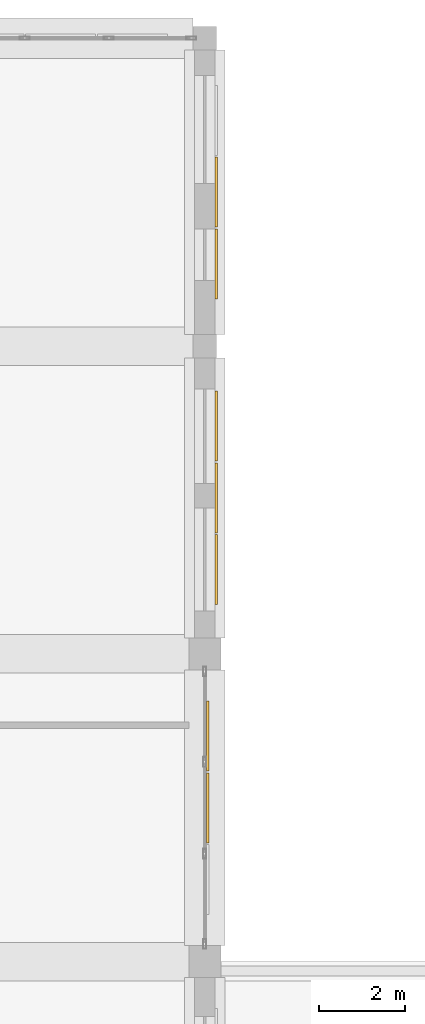
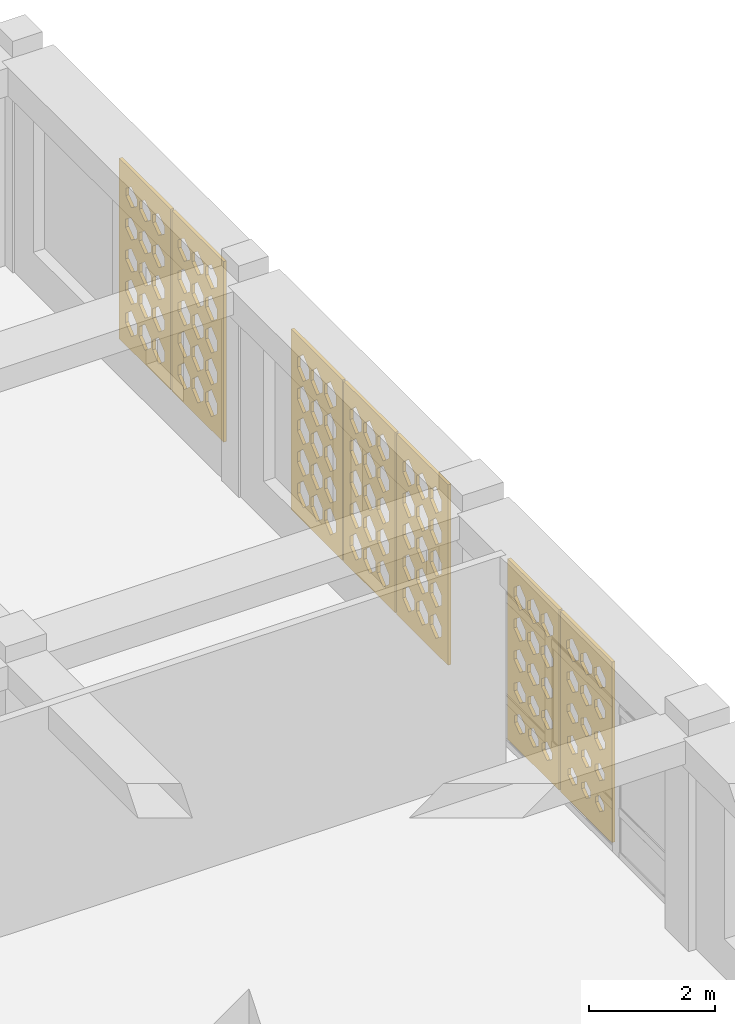
# One storey, part 115 of 121: 7 coverings.
"""IFC4 building model written with IfcOpenShell, lengths in metres."""

from ifc_helpers import new_model, si_unit, derived_unit, direction, frame, origin, place, context, subcontext, project, spatial, polyline, outline, extrude, material, layer, layer_set, type_object, element, save


model = new_model("IFC4")

# Units and contexts
model_context = context("Model", 3, precision=1e-05, world=origin(), true_north=direction((0.0, 1.0)))
body_context = subcontext(model_context, "Body", "Model", "MODEL_VIEW")
ifc_project = project(units=[si_unit("LENGTHUNIT", "METRE"), si_unit("AREAUNIT", "SQUARE_METRE"), si_unit("VOLUMEUNIT", "CUBIC_METRE"), si_unit("PLANEANGLEUNIT", "RADIAN"), si_unit("MASSUNIT", "GRAM", prefix="KILO"), derived_unit("THERMALTRANSMITTANCEUNIT", [(si_unit("POWERUNIT", "WATT"), 1), (si_unit("LENGTHUNIT", "METRE"), -2), (si_unit("THERMODYNAMICTEMPERATUREUNIT", "KELVIN"), -1)])], contexts=[model_context])

# Site, building, storey
site_placement = place(None, origin())
site = spatial("IfcSite", under=ifc_project, at=site_placement, CompositionType="ELEMENT")
building_placement = place(site_placement, origin())
building = spatial("IfcBuilding", under=site, at=building_placement, Name="Veybourne Emporium", CompositionType="ELEMENT")
storey_placement = place(building_placement, frame((0.0, 0.0, 5.39990234375)))
storey = spatial("IfcBuildingStorey", under=building, at=storey_placement, Name="L01", CompositionType="ELEMENT", Elevation=5.39990234375)

# Coverings
ifc_material = material(Name="Warm-White Perforated Aluminium Screen Alloy", Category="aluminium")
ifc_layer_1 = layer(ifc_material, 0.06005859375)
ifc_layer_set_1 = layer_set([ifc_layer_1], Name="Warm-White Perforated Aluminium Screen Alloy")
covering_type_1 = type_object("IfcCoveringType", Name="WaveScreen_SCR-01", PredefinedType="CLADDING", material=ifc_layer_set_1)
covering_1_placement = place(storey_placement, frame((100.8955078125, 97.199951171875, 1.815185546875), z_axis=(-1.0, 0.0, 0.0), x_axis=(0.0, -1.0, 0.0)))
element("IfcCovering", 1, at=covering_1_placement, inside=storey, type_object=covering_type_1, Name="L01 wave-perforated aluminium screen SCR-01 (57C.2)", PredefinedType="CLADDING", context=body_context, shape_type="SweptSolid", body=[
    extrude(outline(polyline([(-0.81982421875, -1.7548828125), (0.81982421875, -1.7548828125), (0.81982421875, 1.7548828125), (-0.81982421875, 1.7548828125), (-0.81982421875, -1.7548828125)]), holes=[polyline([(-0.433349609375, -1.059326171875), (-0.285400390625, -1.167236328125), (-0.285400390625, -1.288818359375), (-0.433349609375, -1.396728515625), (-0.581298828125, -1.288818359375), (-0.581298828125, -1.167236328125), (-0.433349609375, -1.059326171875)]), polyline([(-0.433349609375, -0.431396484375), (-0.27392578125, -0.54833984375), (-0.27392578125, -0.6796875), (-0.433349609375, -0.79638671875), (-0.5927734375, -0.6796875), (-0.5927734375, -0.54833984375), (-0.433349609375, -0.431396484375)]), polyline([(-0.433349609375, 0.19677734375), (-0.262451171875, 0.07080078125), (-0.262451171875, -0.07080078125), (-0.433349609375, -0.19677734375), (-0.604248046875, -0.07080078125), (-0.604248046875, 0.07080078125), (-0.433349609375, 0.19677734375)]), polyline([(-0.433349609375, 0.82470703125), (-0.2509765625, 0.68994140625), (-0.2509765625, 0.5380859375), (-0.433349609375, 0.4033203125), (-0.61572265625, 0.5380859375), (-0.61572265625, 0.68994140625), (-0.433349609375, 0.82470703125)]), polyline([(-0.433349609375, 1.4521484375), (-0.2470703125, 1.30859375), (-0.2470703125, 1.147216796875), (-0.433349609375, 1.00390625), (-0.61962890625, 1.147216796875), (-0.61962890625, 1.30859375), (-0.433349609375, 1.4521484375)]), polyline([(0.0, -1.0654296875), (0.14306640625, -1.16943359375), (0.14306640625, -1.28662109375), (0.0, -1.390625), (-0.14306640625, -1.28662109375), (-0.14306640625, -1.16943359375), (0.0, -1.0654296875)]), polyline([(0.0, -0.437744140625), (0.154296875, -0.550537109375), (0.154296875, -0.677490234375), (0.0, -0.790283203125), (-0.154296875, -0.677490234375), (-0.154296875, -0.550537109375), (0.0, -0.437744140625)]), polyline([(0.0, 0.190185546875), (0.165771484375, 0.068603515625), (0.165771484375, -0.068603515625), (0.0, -0.190185546875), (-0.165771484375, -0.068603515625), (-0.165771484375, 0.068603515625), (0.0, 0.190185546875)]), polyline([(0.0, 0.818359375), (0.17724609375, 0.6875), (0.17724609375, 0.540283203125), (0.0, 0.40966796875), (-0.17724609375, 0.540283203125), (-0.17724609375, 0.6875), (0.0, 0.818359375)]), polyline([(0.0, 1.4462890625), (0.186279296875, 1.306640625), (0.186279296875, 1.1494140625), (0.0, 1.009765625), (-0.186279296875, 1.1494140625), (-0.186279296875, 1.306640625), (0.0, 1.4462890625)]), polyline([(0.433349609375, -1.0712890625), (0.571533203125, -1.171630859375), (0.571533203125, -1.284423828125), (0.433349609375, -1.384765625), (0.295166015625, -1.284423828125), (0.295166015625, -1.171630859375), (0.433349609375, -1.0712890625)]), polyline([(0.433349609375, -0.444091796875), (0.58251953125, -0.552734375), (0.58251953125, -0.67529296875), (0.433349609375, -0.783935546875), (0.2841796875, -0.67529296875), (0.2841796875, -0.552734375), (0.433349609375, -0.444091796875)]), polyline([(0.433349609375, 0.183837890625), (0.59375, 0.066162109375), (0.59375, -0.066162109375), (0.433349609375, -0.183837890625), (0.27294921875, -0.066162109375), (0.27294921875, 0.066162109375), (0.433349609375, 0.183837890625)]), polyline([(0.433349609375, 0.81201171875), (0.605224609375, 0.685302734375), (0.605224609375, 0.542724609375), (0.433349609375, 0.416015625), (0.26123046875, 0.542724609375), (0.26123046875, 0.685302734375), (0.433349609375, 0.81201171875)]), polyline([(0.433349609375, 1.43994140625), (0.61669921875, 1.30419921875), (0.61669921875, 1.151611328125), (0.433349609375, 1.01611328125), (0.25, 1.151611328125), (0.25, 1.30419921875), (0.433349609375, 1.43994140625)])]), origin(), (0.0, 0.0, 1.0), 0.06005859375),
])
covering_2_placement = place(storey_placement, frame((101.09814453125, 106.1298828125, 1.815185546875), z_axis=(-1.0, 0.0, 0.0), x_axis=(0.0, -1.0, 0.0)))
element("IfcCovering", 2, at=covering_2_placement, inside=storey, type_object=covering_type_1, Name="L01 wave-perforated aluminium screen SCR-01 (58.1)", PredefinedType="CLADDING", context=body_context, shape_type="SweptSolid", body=[
    extrude(outline(polyline([(-0.81982421875, -1.7548828125), (0.81982421875, -1.7548828125), (0.81982421875, 1.7548828125), (-0.81982421875, 1.7548828125), (-0.81982421875, -1.7548828125)]), holes=[polyline([(-0.433349609375, -0.964111328125), (-0.2470703125, -1.133056640625), (-0.2470703125, -1.322998046875), (-0.433349609375, -1.491943359375), (-0.61962890625, -1.322998046875), (-0.61962890625, -1.133056640625), (-0.433349609375, -0.964111328125)]), polyline([(-0.433349609375, -0.35009765625), (-0.2470703125, -0.51904296875), (-0.2470703125, -0.708984375), (-0.433349609375, -0.8779296875), (-0.61962890625, -0.708984375), (-0.61962890625, -0.51904296875), (-0.433349609375, -0.35009765625)]), polyline([(-0.433349609375, 0.263916015625), (-0.2470703125, 0.094970703125), (-0.2470703125, -0.094970703125), (-0.433349609375, -0.263916015625), (-0.61962890625, -0.094970703125), (-0.61962890625, 0.094970703125), (-0.433349609375, 0.263916015625)]), polyline([(-0.433349609375, 0.8779296875), (-0.2470703125, 0.708984375), (-0.2470703125, 0.51904296875), (-0.433349609375, 0.35009765625), (-0.61962890625, 0.51904296875), (-0.61962890625, 0.708984375), (-0.433349609375, 0.8779296875)]), polyline([(-0.433349609375, 1.491943359375), (-0.2470703125, 1.322998046875), (-0.2470703125, 1.133056640625), (-0.433349609375, 0.964111328125), (-0.61962890625, 1.133056640625), (-0.61962890625, 1.322998046875), (-0.433349609375, 1.491943359375)]), polyline([(0.0, -0.964111328125), (0.186279296875, -1.133056640625), (0.186279296875, -1.322998046875), (0.0, -1.491943359375), (-0.186279296875, -1.322998046875), (-0.186279296875, -1.133056640625), (0.0, -0.964111328125)]), polyline([(0.0, -0.35009765625), (0.186279296875, -0.51904296875), (0.186279296875, -0.708984375), (0.0, -0.8779296875), (-0.186279296875, -0.708984375), (-0.186279296875, -0.51904296875), (0.0, -0.35009765625)]), polyline([(0.0, 0.263916015625), (0.186279296875, 0.094970703125), (0.186279296875, -0.094970703125), (0.0, -0.263916015625), (-0.186279296875, -0.094970703125), (-0.186279296875, 0.094970703125), (0.0, 0.263916015625)]), polyline([(0.0, 0.8779296875), (0.186279296875, 0.708984375), (0.186279296875, 0.51904296875), (0.0, 0.35009765625), (-0.186279296875, 0.51904296875), (-0.186279296875, 0.708984375), (0.0, 0.8779296875)]), polyline([(0.0, 1.491943359375), (0.186279296875, 1.322998046875), (0.186279296875, 1.133056640625), (0.0, 0.964111328125), (-0.186279296875, 1.133056640625), (-0.186279296875, 1.322998046875), (0.0, 1.491943359375)]), polyline([(0.433349609375, -0.964111328125), (0.61962890625, -1.133056640625), (0.61962890625, -1.322998046875), (0.433349609375, -1.491943359375), (0.2470703125, -1.322998046875), (0.2470703125, -1.133056640625), (0.433349609375, -0.964111328125)]), polyline([(0.433349609375, -0.35009765625), (0.61962890625, -0.51904296875), (0.61962890625, -0.708984375), (0.433349609375, -0.8779296875), (0.2470703125, -0.708984375), (0.2470703125, -0.51904296875), (0.433349609375, -0.35009765625)]), polyline([(0.433349609375, 0.263916015625), (0.61962890625, 0.094970703125), (0.61962890625, -0.094970703125), (0.433349609375, -0.263916015625), (0.2470703125, -0.094970703125), (0.2470703125, 0.094970703125), (0.433349609375, 0.263916015625)]), polyline([(0.433349609375, 0.8779296875), (0.61962890625, 0.708984375), (0.61962890625, 0.51904296875), (0.433349609375, 0.35009765625), (0.2470703125, 0.51904296875), (0.2470703125, 0.708984375), (0.433349609375, 0.8779296875)]), polyline([(0.433349609375, 1.491943359375), (0.61962890625, 1.322998046875), (0.61962890625, 1.133056640625), (0.433349609375, 0.964111328125), (0.2470703125, 1.133056640625), (0.2470703125, 1.322998046875), (0.433349609375, 1.491943359375)])]), origin(), (0.0, 0.0, 1.0), 0.06005859375),
])
ifc_layer_2 = layer(ifc_material, 0.06005859375)
ifc_layer_set_2 = layer_set([ifc_layer_2], Name="Warm-White Perforated Aluminium Screen Alloy")
covering_type_2 = type_object("IfcCoveringType", Name="WaveScreen_SCR-02", PredefinedType="CLADDING", material=ifc_layer_set_2)
covering_3_placement = place(storey_placement, frame((101.09814453125, 104.449951171875, 1.815185546875), z_axis=(-1.0, 0.0, 0.0), x_axis=(0.0, -1.0, 0.0)))
element("IfcCovering", 3, at=covering_3_placement, inside=storey, type_object=covering_type_2, Name="L01 wave-perforated aluminium screen SCR-02 (58.2)", PredefinedType="CLADDING", context=body_context, shape_type="SweptSolid", body=[
    extrude(outline(polyline([(-0.81982421875, -1.7548828125), (0.81982421875, -1.7548828125), (0.81982421875, 1.7548828125), (-0.81982421875, 1.7548828125), (-0.81982421875, -1.7548828125)]), holes=[polyline([(-0.433349609375, -0.964111328125), (-0.2470703125, -1.133056640625), (-0.2470703125, -1.322998046875), (-0.433349609375, -1.491943359375), (-0.61962890625, -1.322998046875), (-0.61962890625, -1.133056640625), (-0.433349609375, -0.964111328125)]), polyline([(-0.433349609375, -0.35009765625), (-0.2470703125, -0.51904296875), (-0.2470703125, -0.708984375), (-0.433349609375, -0.8779296875), (-0.61962890625, -0.708984375), (-0.61962890625, -0.51904296875), (-0.433349609375, -0.35009765625)]), polyline([(-0.433349609375, 0.263916015625), (-0.2470703125, 0.094970703125), (-0.2470703125, -0.094970703125), (-0.433349609375, -0.263916015625), (-0.61962890625, -0.094970703125), (-0.61962890625, 0.094970703125), (-0.433349609375, 0.263916015625)]), polyline([(-0.433349609375, 0.8779296875), (-0.2470703125, 0.708984375), (-0.2470703125, 0.51904296875), (-0.433349609375, 0.35009765625), (-0.61962890625, 0.51904296875), (-0.61962890625, 0.708984375), (-0.433349609375, 0.8779296875)]), polyline([(-0.433349609375, 1.491943359375), (-0.2470703125, 1.322998046875), (-0.2470703125, 1.133056640625), (-0.433349609375, 0.964111328125), (-0.61962890625, 1.133056640625), (-0.61962890625, 1.322998046875), (-0.433349609375, 1.491943359375)]), polyline([(0.0, -0.96728515625), (0.186279296875, -1.13427734375), (0.186279296875, -1.32177734375), (0.0, -1.488525390625), (-0.186279296875, -1.32177734375), (-0.186279296875, -1.13427734375), (0.0, -0.96728515625)]), polyline([(0.0, -0.35009765625), (0.186279296875, -0.51904296875), (0.186279296875, -0.708984375), (0.0, -0.8779296875), (-0.186279296875, -0.708984375), (-0.186279296875, -0.51904296875), (0.0, -0.35009765625)]), polyline([(0.0, 0.263916015625), (0.186279296875, 0.094970703125), (0.186279296875, -0.094970703125), (0.0, -0.263916015625), (-0.186279296875, -0.094970703125), (-0.186279296875, 0.094970703125), (0.0, 0.263916015625)]), polyline([(0.0, 0.8779296875), (0.186279296875, 0.708984375), (0.186279296875, 0.51904296875), (0.0, 0.35009765625), (-0.186279296875, 0.51904296875), (-0.186279296875, 0.708984375), (0.0, 0.8779296875)]), polyline([(0.0, 1.491943359375), (0.186279296875, 1.322998046875), (0.186279296875, 1.133056640625), (0.0, 0.964111328125), (-0.186279296875, 1.133056640625), (-0.186279296875, 1.322998046875), (0.0, 1.491943359375)]), polyline([(0.433349609375, -0.97119140625), (0.61962890625, -1.135498046875), (0.61962890625, -1.3203125), (0.433349609375, -1.484619140625), (0.2470703125, -1.3203125), (0.2470703125, -1.135498046875), (0.433349609375, -0.97119140625)]), polyline([(0.433349609375, -0.35009765625), (0.61962890625, -0.51904296875), (0.61962890625, -0.708984375), (0.433349609375, -0.8779296875), (0.2470703125, -0.708984375), (0.2470703125, -0.51904296875), (0.433349609375, -0.35009765625)]), polyline([(0.433349609375, 0.263916015625), (0.61962890625, 0.094970703125), (0.61962890625, -0.094970703125), (0.433349609375, -0.263916015625), (0.2470703125, -0.094970703125), (0.2470703125, 0.094970703125), (0.433349609375, 0.263916015625)]), polyline([(0.433349609375, 0.8779296875), (0.61962890625, 0.708984375), (0.61962890625, 0.51904296875), (0.433349609375, 0.35009765625), (0.2470703125, 0.51904296875), (0.2470703125, 0.708984375), (0.433349609375, 0.8779296875)]), polyline([(0.433349609375, 1.491943359375), (0.61962890625, 1.322998046875), (0.61962890625, 1.133056640625), (0.433349609375, 0.964111328125), (0.2470703125, 1.133056640625), (0.2470703125, 1.322998046875), (0.433349609375, 1.491943359375)])]), origin(), (0.0, 0.0, 1.0), 0.06005859375),
])
ifc_layer_3 = layer(ifc_material, 0.06005859375)
ifc_layer_set_3 = layer_set([ifc_layer_3], Name="Warm-White Perforated Aluminium Screen Alloy")
covering_type_3 = type_object("IfcCoveringType", Name="WaveScreen_SCR-03", PredefinedType="CLADDING", material=ifc_layer_set_3)
covering_4_placement = place(storey_placement, frame((101.09814453125, 102.77001953125, 1.815185546875), z_axis=(-1.0, 0.0, 0.0), x_axis=(0.0, -1.0, 0.0)))
element("IfcCovering", 4, at=covering_4_placement, inside=storey, type_object=covering_type_3, Name="L01 wave-perforated aluminium screen SCR-03 (58.3)", PredefinedType="CLADDING", context=body_context, shape_type="SweptSolid", body=[
    extrude(outline(polyline([(-0.81982421875, -1.7548828125), (0.81982421875, -1.7548828125), (0.81982421875, 1.7548828125), (-0.81982421875, 1.7548828125), (-0.81982421875, -1.7548828125)]), holes=[polyline([(-0.433349609375, -0.9794921875), (-0.2470703125, -1.138427734375), (-0.2470703125, -1.3173828125), (-0.433349609375, -1.4765625), (-0.61962890625, -1.3173828125), (-0.61962890625, -1.138427734375), (-0.433349609375, -0.9794921875)]), polyline([(-0.433349609375, -0.35595703125), (-0.2470703125, -0.52099609375), (-0.2470703125, -0.706787109375), (-0.433349609375, -0.8720703125), (-0.61962890625, -0.706787109375), (-0.61962890625, -0.52099609375), (-0.433349609375, -0.35595703125)]), polyline([(-0.433349609375, 0.263916015625), (-0.2470703125, 0.094970703125), (-0.2470703125, -0.094970703125), (-0.433349609375, -0.263916015625), (-0.61962890625, -0.094970703125), (-0.61962890625, 0.094970703125), (-0.433349609375, 0.263916015625)]), polyline([(-0.433349609375, 0.8779296875), (-0.2470703125, 0.708984375), (-0.2470703125, 0.51904296875), (-0.433349609375, 0.35009765625), (-0.61962890625, 0.51904296875), (-0.61962890625, 0.708984375), (-0.433349609375, 0.8779296875)]), polyline([(-0.433349609375, 1.491943359375), (-0.2470703125, 1.322998046875), (-0.2470703125, 1.133056640625), (-0.433349609375, 0.964111328125), (-0.61962890625, 1.133056640625), (-0.61962890625, 1.322998046875), (-0.433349609375, 1.491943359375)]), polyline([(0.0, -0.984375), (0.186279296875, -1.140380859375), (0.186279296875, -1.315673828125), (0.0, -1.4716796875), (-0.186279296875, -1.315673828125), (-0.186279296875, -1.140380859375), (0.0, -0.984375)]), polyline([(0.0, -0.360107421875), (0.186279296875, -0.522705078125), (0.186279296875, -0.705322265625), (0.0, -0.867919921875), (-0.186279296875, -0.705322265625), (-0.186279296875, -0.522705078125), (0.0, -0.360107421875)]), polyline([(0.0, 0.262451171875), (0.186279296875, 0.094482421875), (0.186279296875, -0.094482421875), (0.0, -0.262451171875), (-0.186279296875, -0.094482421875), (-0.186279296875, 0.094482421875), (0.0, 0.262451171875)]), polyline([(0.0, 0.8779296875), (0.186279296875, 0.708984375), (0.186279296875, 0.51904296875), (0.0, 0.35009765625), (-0.186279296875, 0.51904296875), (-0.186279296875, 0.708984375), (0.0, 0.8779296875)]), polyline([(0.0, 1.491943359375), (0.186279296875, 1.322998046875), (0.186279296875, 1.133056640625), (0.0, 0.964111328125), (-0.186279296875, 1.133056640625), (-0.186279296875, 1.322998046875), (0.0, 1.491943359375)]), polyline([(0.433349609375, -0.989501953125), (0.61962890625, -1.14208984375), (0.61962890625, -1.313720703125), (0.433349609375, -1.46630859375), (0.2470703125, -1.313720703125), (0.2470703125, -1.14208984375), (0.433349609375, -0.989501953125)]), polyline([(0.433349609375, -0.364501953125), (0.61962890625, -0.524169921875), (0.61962890625, -0.703857421875), (0.433349609375, -0.863525390625), (0.2470703125, -0.703857421875), (0.2470703125, -0.524169921875), (0.433349609375, -0.364501953125)]), polyline([(0.433349609375, 0.2587890625), (0.61962890625, 0.09326171875), (0.61962890625, -0.09326171875), (0.433349609375, -0.2587890625), (0.2470703125, -0.09326171875), (0.2470703125, 0.09326171875), (0.433349609375, 0.2587890625)]), polyline([(0.433349609375, 0.8779296875), (0.61962890625, 0.708984375), (0.61962890625, 0.51904296875), (0.433349609375, 0.35009765625), (0.2470703125, 0.51904296875), (0.2470703125, 0.708984375), (0.433349609375, 0.8779296875)]), polyline([(0.433349609375, 1.491943359375), (0.61962890625, 1.322998046875), (0.61962890625, 1.133056640625), (0.433349609375, 0.964111328125), (0.2470703125, 1.133056640625), (0.2470703125, 1.322998046875), (0.433349609375, 1.491943359375)])]), origin(), (0.0, 0.0, 1.0), 0.06005859375),
])
covering_5_placement = place(storey_placement, frame((101.09814453125, 111.60009765625, 1.815185546875), z_axis=(-1.0, 0.0, 0.0), x_axis=(0.0, -1.0, 0.0)))
element("IfcCovering", 5, at=covering_5_placement, inside=storey, type_object=covering_type_3, Name="L01 wave-perforated aluminium screen SCR-03 (59.2)", PredefinedType="CLADDING", context=body_context, shape_type="SweptSolid", body=[
    extrude(outline(polyline([(-0.81982421875, -1.7548828125), (0.81982421875, -1.7548828125), (0.81982421875, 1.7548828125), (-0.81982421875, 1.7548828125), (-0.81982421875, -1.7548828125)]), holes=[polyline([(-0.433349609375, -0.97607421875), (-0.2470703125, -1.13720703125), (-0.2470703125, -1.318603515625), (-0.433349609375, -1.47998046875), (-0.61962890625, -1.318603515625), (-0.61962890625, -1.13720703125), (-0.433349609375, -0.97607421875)]), polyline([(-0.433349609375, -0.37255859375), (-0.2470703125, -0.527099609375), (-0.2470703125, -0.700927734375), (-0.433349609375, -0.85546875), (-0.61962890625, -0.700927734375), (-0.61962890625, -0.527099609375), (-0.433349609375, -0.37255859375)]), polyline([(-0.433349609375, 0.229248046875), (-0.2470703125, 0.08251953125), (-0.2470703125, -0.08251953125), (-0.433349609375, -0.229248046875), (-0.61962890625, -0.08251953125), (-0.61962890625, 0.08251953125), (-0.433349609375, 0.229248046875)]), polyline([(-0.433349609375, 0.830078125), (-0.2470703125, 0.69189453125), (-0.2470703125, 0.5361328125), (-0.433349609375, 0.39794921875), (-0.61962890625, 0.5361328125), (-0.61962890625, 0.69189453125), (-0.433349609375, 0.830078125)]), polyline([(-0.433349609375, 1.43017578125), (-0.2578125, 1.30078125), (-0.2578125, 1.1552734375), (-0.433349609375, 1.02587890625), (-0.60888671875, 1.1552734375), (-0.60888671875, 1.30078125), (-0.433349609375, 1.43017578125)]), polyline([(0.0, -0.9716796875), (0.186279296875, -1.1357421875), (0.186279296875, -1.3203125), (0.0, -1.484375), (-0.186279296875, -1.3203125), (-0.186279296875, -1.1357421875), (0.0, -0.9716796875)]), polyline([(0.0, -0.36767578125), (0.186279296875, -0.525390625), (0.186279296875, -0.70263671875), (0.0, -0.8603515625), (-0.186279296875, -0.70263671875), (-0.186279296875, -0.525390625), (0.0, -0.36767578125)]), polyline([(0.0, 0.23486328125), (0.186279296875, 0.084716796875), (0.186279296875, -0.084716796875), (0.0, -0.23486328125), (-0.186279296875, -0.084716796875), (-0.186279296875, 0.084716796875), (0.0, 0.23486328125)]), polyline([(0.0, 0.836181640625), (0.186279296875, 0.694091796875), (0.186279296875, 0.533935546875), (0.0, 0.391845703125), (-0.186279296875, 0.533935546875), (-0.186279296875, 0.694091796875), (0.0, 0.836181640625)]), polyline([(0.0, 1.4365234375), (0.1806640625, 1.302978515625), (0.1806640625, 1.15283203125), (0.0, 1.019287109375), (-0.1806640625, 1.15283203125), (-0.1806640625, 1.302978515625), (0.0, 1.4365234375)]), polyline([(0.433349609375, -0.9677734375), (0.61962890625, -1.13427734375), (0.61962890625, -1.32177734375), (0.433349609375, -1.48828125), (0.2470703125, -1.32177734375), (0.2470703125, -1.13427734375), (0.433349609375, -0.9677734375)]), polyline([(0.433349609375, -0.36279296875), (0.61962890625, -0.523681640625), (0.61962890625, -0.704345703125), (0.433349609375, -0.864990234375), (0.2470703125, -0.704345703125), (0.2470703125, -0.523681640625), (0.433349609375, -0.36279296875)]), polyline([(0.433349609375, 0.240234375), (0.61962890625, 0.08642578125), (0.61962890625, -0.08642578125), (0.433349609375, -0.240234375), (0.2470703125, -0.08642578125), (0.2470703125, 0.08642578125), (0.433349609375, 0.240234375)]), polyline([(0.433349609375, 0.842041015625), (0.61962890625, 0.696044921875), (0.61962890625, 0.531982421875), (0.433349609375, 0.385986328125), (0.2470703125, 0.531982421875), (0.2470703125, 0.696044921875), (0.433349609375, 0.842041015625)]), polyline([(0.433349609375, 1.44287109375), (0.619140625, 1.305419921875), (0.619140625, 1.150634765625), (0.433349609375, 1.01318359375), (0.24755859375, 1.150634765625), (0.24755859375, 1.305419921875), (0.433349609375, 1.44287109375)])]), origin(), (0.0, 0.0, 1.0), 0.06005859375),
])
ifc_layer_4 = layer(ifc_material, 0.06005859375)
ifc_layer_set_4 = layer_set([ifc_layer_4], Name="Warm-White Perforated Aluminium Screen Alloy")
covering_type_4 = type_object("IfcCoveringType", Name="WaveScreen_SCR-04", PredefinedType="CLADDING", material=ifc_layer_set_4)
covering_6_placement = place(storey_placement, frame((100.8955078125, 98.8798828125, 1.815185546875), z_axis=(-1.0, 0.0, 0.0), x_axis=(0.0, -1.0, 0.0)))
element("IfcCovering", 6, at=covering_6_placement, inside=storey, type_object=covering_type_4, Name="L01 wave-perforated aluminium screen SCR-04 (57C.1)", PredefinedType="CLADDING", context=body_context, shape_type="SweptSolid", body=[
    extrude(outline(polyline([(-0.81982421875, -1.7548828125), (0.81982421875, -1.7548828125), (0.81982421875, 1.7548828125), (-0.81982421875, 1.7548828125), (-0.81982421875, -1.7548828125)]), holes=[polyline([(-0.433349609375, -1.03466796875), (-0.26513671875, -1.158447265625), (-0.26513671875, -1.297607421875), (-0.433349609375, -1.42138671875), (-0.6015625, -1.297607421875), (-0.6015625, -1.158447265625), (-0.433349609375, -1.03466796875)]), polyline([(-0.433349609375, -0.406494140625), (-0.253662109375, -0.539306640625), (-0.253662109375, -0.688720703125), (-0.433349609375, -0.8212890625), (-0.613037109375, -0.688720703125), (-0.613037109375, -0.539306640625), (-0.433349609375, -0.406494140625)]), polyline([(-0.433349609375, 0.220947265625), (-0.2470703125, 0.07958984375), (-0.2470703125, -0.07958984375), (-0.433349609375, -0.220947265625), (-0.61962890625, -0.07958984375), (-0.61962890625, 0.07958984375), (-0.433349609375, 0.220947265625)]), polyline([(-0.433349609375, 0.847900390625), (-0.2470703125, 0.6982421875), (-0.2470703125, 0.52978515625), (-0.433349609375, 0.380126953125), (-0.61962890625, 0.52978515625), (-0.61962890625, 0.6982421875), (-0.433349609375, 0.847900390625)]), polyline([(-0.433349609375, 1.473388671875), (-0.2470703125, 1.31640625), (-0.2470703125, 1.1396484375), (-0.433349609375, 0.982421875), (-0.61962890625, 1.1396484375), (-0.61962890625, 1.31640625), (-0.433349609375, 1.473388671875)]), polyline([(0.0, -1.041259765625), (0.162841796875, -1.16064453125), (0.162841796875, -1.29541015625), (0.0, -1.414794921875), (-0.162841796875, -1.29541015625), (-0.162841796875, -1.16064453125), (0.0, -1.041259765625)]), polyline([(0.0, -0.4130859375), (0.174560546875, -0.54150390625), (0.174560546875, -0.686279296875), (0.0, -0.81494140625), (-0.174560546875, -0.686279296875), (-0.174560546875, -0.54150390625), (0.0, -0.4130859375)]), polyline([(0.0, 0.21484375), (0.185791015625, 0.077392578125), (0.185791015625, -0.077392578125), (0.0, -0.21484375), (-0.185791015625, -0.077392578125), (-0.185791015625, 0.077392578125), (0.0, 0.21484375)]), polyline([(0.0, 0.84228515625), (0.186279296875, 0.696044921875), (0.186279296875, 0.531982421875), (0.0, 0.3857421875), (-0.186279296875, 0.531982421875), (-0.186279296875, 0.696044921875), (0.0, 0.84228515625)]), polyline([(0.0, 1.468505859375), (0.186279296875, 1.314453125), (0.186279296875, 1.1416015625), (0.0, 0.987548828125), (-0.186279296875, 1.1416015625), (-0.186279296875, 1.314453125), (0.0, 1.468505859375)]), polyline([(0.433349609375, -1.047607421875), (0.591064453125, -1.1630859375), (0.591064453125, -1.29296875), (0.433349609375, -1.408447265625), (0.275634765625, -1.29296875), (0.275634765625, -1.1630859375), (0.433349609375, -1.047607421875)]), polyline([(0.433349609375, -0.41943359375), (0.6025390625, -0.5439453125), (0.6025390625, -0.68408203125), (0.433349609375, -0.80859375), (0.26416015625, -0.68408203125), (0.26416015625, -0.5439453125), (0.433349609375, -0.41943359375)]), polyline([(0.433349609375, 0.208740234375), (0.614013671875, 0.0751953125), (0.614013671875, -0.0751953125), (0.433349609375, -0.208740234375), (0.252685546875, -0.0751953125), (0.252685546875, 0.0751953125), (0.433349609375, 0.208740234375)]), polyline([(0.433349609375, 0.836181640625), (0.61962890625, 0.694091796875), (0.61962890625, 0.533935546875), (0.433349609375, 0.3916015625), (0.2470703125, 0.533935546875), (0.2470703125, 0.694091796875), (0.433349609375, 0.836181640625)]), polyline([(0.433349609375, 1.462890625), (0.61962890625, 1.3125), (0.61962890625, 1.143310546875), (0.433349609375, 0.992919921875), (0.2470703125, 1.143310546875), (0.2470703125, 1.3125), (0.433349609375, 1.462890625)])]), origin(), (0.0, 0.0, 1.0), 0.06005859375),
])
covering_7_placement = place(storey_placement, frame((101.09814453125, 109.919921875, 1.815185546875), z_axis=(-1.0, 0.0, 0.0), x_axis=(0.0, -1.0, 0.0)))
element("IfcCovering", 7, at=covering_7_placement, inside=storey, type_object=covering_type_4, Name="L01 wave-perforated aluminium screen SCR-04 (59.3)", PredefinedType="CLADDING", context=body_context, shape_type="SweptSolid", body=[
    extrude(outline(polyline([(-0.81982421875, -1.7548828125), (0.81982421875, -1.7548828125), (0.81982421875, 1.7548828125), (-0.81982421875, 1.7548828125), (-0.81982421875, -1.7548828125)]), holes=[polyline([(-0.433349609375, -0.964111328125), (-0.2470703125, -1.133056640625), (-0.2470703125, -1.322998046875), (-0.433349609375, -1.491943359375), (-0.61962890625, -1.322998046875), (-0.61962890625, -1.133056640625), (-0.433349609375, -0.964111328125)]), polyline([(-0.433349609375, -0.35498046875), (-0.2470703125, -0.520751953125), (-0.2470703125, -0.707275390625), (-0.433349609375, -0.873046875), (-0.61962890625, -0.707275390625), (-0.61962890625, -0.520751953125), (-0.433349609375, -0.35498046875)]), polyline([(-0.433349609375, 0.24951171875), (-0.2470703125, 0.08984375), (-0.2470703125, -0.08984375), (-0.433349609375, -0.24951171875), (-0.61962890625, -0.08984375), (-0.61962890625, 0.08984375), (-0.433349609375, 0.24951171875)]), polyline([(-0.433349609375, 0.8525390625), (-0.2470703125, 0.699951171875), (-0.2470703125, 0.528076171875), (-0.433349609375, 0.37548828125), (-0.61962890625, 0.528076171875), (-0.61962890625, 0.699951171875), (-0.433349609375, 0.8525390625)]), polyline([(-0.433349609375, 1.4541015625), (-0.2470703125, 1.309326171875), (-0.2470703125, 1.146484375), (-0.433349609375, 1.001708984375), (-0.61962890625, 1.146484375), (-0.61962890625, 1.309326171875), (-0.433349609375, 1.4541015625)]), polyline([(0.0, -0.964111328125), (0.186279296875, -1.133056640625), (0.186279296875, -1.322998046875), (0.0, -1.491943359375), (-0.186279296875, -1.322998046875), (-0.186279296875, -1.133056640625), (0.0, -0.964111328125)]), polyline([(0.0, -0.351318359375), (0.186279296875, -0.51953125), (0.186279296875, -0.70849609375), (0.0, -0.876708984375), (-0.186279296875, -0.70849609375), (-0.186279296875, -0.51953125), (0.0, -0.351318359375)]), polyline([(0.0, 0.254150390625), (0.186279296875, 0.091552734375), (0.186279296875, -0.091552734375), (0.0, -0.254150390625), (-0.186279296875, -0.091552734375), (-0.186279296875, 0.091552734375), (0.0, 0.254150390625)]), polyline([(0.0, 0.85791015625), (0.186279296875, 0.701904296875), (0.186279296875, 0.526123046875), (0.0, 0.3701171875), (-0.186279296875, 0.526123046875), (-0.186279296875, 0.701904296875), (0.0, 0.85791015625)]), polyline([(0.0, 1.4599609375), (0.186279296875, 1.3115234375), (0.186279296875, 1.14453125), (0.0, 0.99609375), (-0.186279296875, 1.14453125), (-0.186279296875, 1.3115234375), (0.0, 1.4599609375)]), polyline([(0.433349609375, -0.964111328125), (0.61962890625, -1.133056640625), (0.61962890625, -1.322998046875), (0.433349609375, -1.491943359375), (0.2470703125, -1.322998046875), (0.2470703125, -1.133056640625), (0.433349609375, -0.964111328125)]), polyline([(0.433349609375, -0.35009765625), (0.61962890625, -0.51904296875), (0.61962890625, -0.708984375), (0.433349609375, -0.8779296875), (0.2470703125, -0.708984375), (0.2470703125, -0.51904296875), (0.433349609375, -0.35009765625)]), polyline([(0.433349609375, 0.25830078125), (0.61962890625, 0.093017578125), (0.61962890625, -0.093017578125), (0.433349609375, -0.25830078125), (0.2470703125, -0.093017578125), (0.2470703125, 0.093017578125), (0.433349609375, 0.25830078125)]), polyline([(0.433349609375, 0.86279296875), (0.61962890625, 0.70361328125), (0.61962890625, 0.5244140625), (0.433349609375, 0.365234375), (0.2470703125, 0.5244140625), (0.2470703125, 0.70361328125), (0.433349609375, 0.86279296875)]), polyline([(0.433349609375, 1.465576171875), (0.61962890625, 1.3134765625), (0.61962890625, 1.142578125), (0.433349609375, 0.990478515625), (0.2470703125, 1.142578125), (0.2470703125, 1.3134765625), (0.433349609375, 1.465576171875)])]), origin(), (0.0, 0.0, 1.0), 0.06005859375),
])

save(model, "model.ifc")
